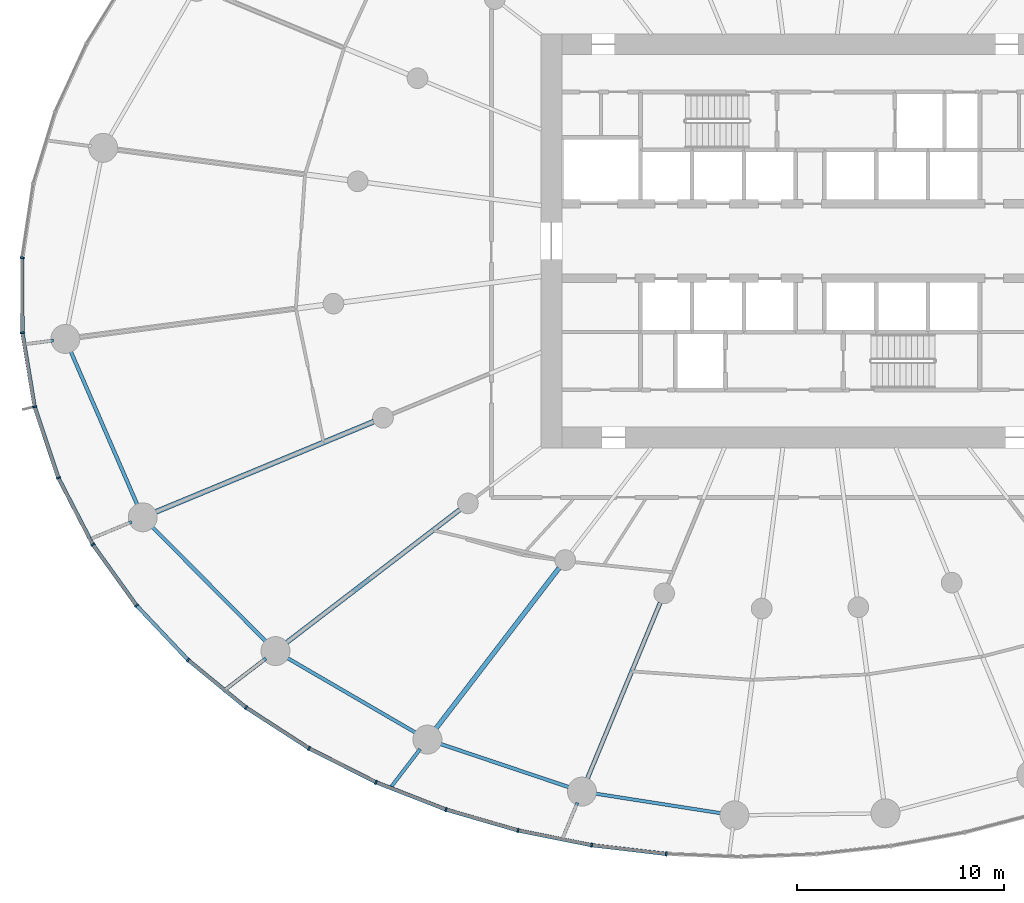
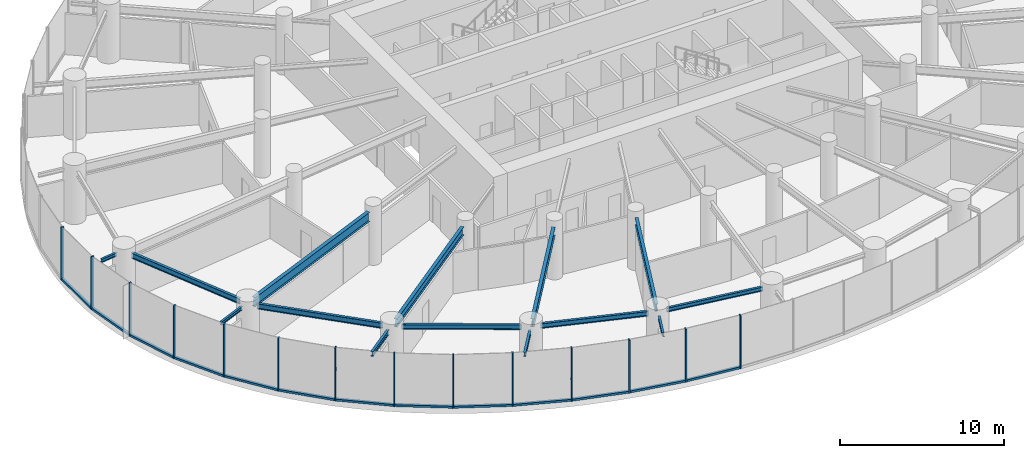
# One storey, part 2 of 19: 27 members, 14 beams, 3 elements without a shape of their own.
"""IFC4 building model written with IfcOpenShell, lengths in metres."""

from ifc_helpers import new_model, si_unit, direction, frame, origin, origin_2d, place, context, subcontext, project, spatial, rectangle, i_section, extrude, source, transform, mapped, material, layer, layer_set, material_profile, profile_set, type_object, element, aggregate, save


model = new_model("IFC4")

# Units and contexts
model_context = context("Model", 3, precision=1e-05, world=origin(), true_north=direction((0.0, 1.0)))
body_context = subcontext(model_context, "Body", "Model", "MODEL_VIEW")
ifc_project = project(units=[si_unit("LENGTHUNIT", "METRE"), si_unit("AREAUNIT", "SQUARE_METRE"), si_unit("VOLUMEUNIT", "CUBIC_METRE"), si_unit("PLANEANGLEUNIT", "RADIAN"), si_unit("MASSUNIT", "GRAM", prefix="KILO")], contexts=[model_context])

# Site, building, storey
site_placement = place(None, origin())
site = spatial("IfcSite", under=ifc_project, at=site_placement, CompositionType="ELEMENT")
building_placement = place(site_placement, origin())
building = spatial("IfcBuilding", under=site, at=building_placement, Name="Spindrift Exchange Tower", CompositionType="ELEMENT")
storey_placement = place(building_placement, frame((0.0, 0.0, 53.39990234375)))
storey = spatial("IfcBuildingStorey", under=building, at=storey_placement, Name="L12", CompositionType="ELEMENT", Elevation=53.39990234375)

# Beams
ifc_material_1 = material(Name="Steel Grade 300", Category="steel")
ifc_material_profile_1 = material_profile(ifc_material_1, i_section(OverallWidth=0.25, OverallDepth=0.699951171875, WebThickness=0.008056640625, FlangeThickness=0.011962890625, at=origin_2d()), Name="700WB115")
ifc_profile_set_1 = profile_set([ifc_material_profile_1], Name="Steel Grade 300")
beam_type_1 = type_object("IfcBeamType", Name="Floor Beam 700WB115 Steel Grade 300", PredefinedType="BEAM", material=ifc_profile_set_1)
shared_shape_1 = source(origin(), body_context, "Body", "SweptSolid", [
    extrude(i_section(OverallWidth=0.25, OverallDepth=0.699951171875, WebThickness=0.008056640625, FlangeThickness=0.011962890625, at=origin_2d()), origin(), (0.0, 0.0, 1.0), 11.505859375),
])
beam_1_placement = place(storey_placement, frame((30.917236328125, 39.26708984375, 3.60009765625), z_axis=(-0.923881578419, -0.38267849307, 0.0), x_axis=(0.38267849307, -0.923881578419, 0.0)))
element("IfcBeam", 1, at=beam_1_placement, inside=storey, type_object=beam_type_1, Name="L12 radial beam R14B", PredefinedType="BEAM", context=body_context, shape_type="MappedRepresentation", body=[
    mapped(shared_shape_1, transform((0.0, 0.0, 0.0), scale=1.0)),
])
ifc_material_profile_2 = material_profile(ifc_material_1, i_section(OverallWidth=0.22802734375, OverallDepth=0.60693359375, WebThickness=0.01123046875, FlangeThickness=0.017333984375, FilletRadius=0.013916015625, at=origin_2d()), Name="610UB113")
ifc_profile_set_2 = profile_set([ifc_material_profile_2], Name="Steel Grade 300")
beam_type_2 = type_object("IfcBeamType", Name="Floor Beam 610UB113 Steel Grade 300", PredefinedType="BEAM", material=ifc_profile_set_2)
shared_shape_2 = source(origin(), body_context, "Body", "SweptSolid", [
    extrude(i_section(OverallWidth=0.22802734375, OverallDepth=0.60693359375, WebThickness=0.01123046875, FlangeThickness=0.017333984375, FilletRadius=0.013916015625, at=origin_2d()), origin(), (0.0, 0.0, 1.0), 10.66357421875),
])
beam_2_placement = place(storey_placement, frame((35.08447265625, 35.020263671875, 3.646484375), z_axis=(-0.793357926757, -0.608755451764, 0.0), x_axis=(0.608755451764, -0.793357926757, 0.0)))
element("IfcBeam", 2, at=beam_2_placement, inside=storey, type_object=beam_type_2, Name="L12 radial beam R15B", PredefinedType="BEAM", context=body_context, shape_type="MappedRepresentation", body=[
    mapped(shared_shape_2, transform((0.0, 0.0, 0.0), scale=1.0)),
])
shared_shape_3 = source(origin(), body_context, "Body", "SweptSolid", [
    extrude(i_section(OverallWidth=0.22802734375, OverallDepth=0.60693359375, WebThickness=0.01123046875, FlangeThickness=0.017333984375, FilletRadius=0.013916015625, at=origin_2d()), origin(), (0.0, 0.0, 1.0), 9.87548828125),
])
beam_3_placement = place(storey_placement, frame((39.872802734375, 32.1953125, 3.646484375), z_axis=(-0.608772470836, -0.793344867477, 0.0), x_axis=(0.793344867477, -0.608772470836, 0.0)))
element("IfcBeam", 3, at=beam_3_placement, inside=storey, type_object=beam_type_2, Name="L12 radial beam R16B", PredefinedType="BEAM", context=body_context, shape_type="MappedRepresentation", body=[
    mapped(shared_shape_3, transform((0.0, 0.0, 0.0), scale=1.0)),
])
ifc_material_profile_3 = material_profile(ifc_material_1, i_section(OverallWidth=0.208984375, OverallDepth=0.532958984375, WebThickness=0.01025390625, FlangeThickness=0.015625, FilletRadius=0.013916015625, at=origin_2d()), Name="530UB92.4")
ifc_profile_set_3 = profile_set([ifc_material_profile_3], Name="Steel Grade 300")
beam_type_3 = type_object("IfcBeamType", Name="Floor Beam 530UB92.4 Steel Grade 300", PredefinedType="BEAM", material=ifc_profile_set_3)
shared_shape_4 = source(origin(), body_context, "Body", "SweptSolid", [
    extrude(i_section(OverallWidth=0.208984375, OverallDepth=0.532958984375, WebThickness=0.01025390625, FlangeThickness=0.015625, FilletRadius=0.013916015625, at=origin_2d()), origin(), (0.0, 0.0, 1.0), 9.309326171875),
])
beam_4_placement = place(storey_placement, frame((44.76171875, 30.525146484375, 3.68359375), z_axis=(-0.382685326691, -0.923878747853, 0.0), x_axis=(0.923878747853, -0.382685326691, 0.0)))
element("IfcBeam", 4, at=beam_4_placement, inside=storey, type_object=beam_type_3, Name="L12 radial beam R17B", PredefinedType="BEAM", context=body_context, shape_type="MappedRepresentation", body=[
    mapped(shared_shape_4, transform((0.0, 0.0, 0.0), scale=1.0)),
])
ifc_material_profile_4 = material_profile(ifc_material_1, i_section(OverallWidth=0.177978515625, OverallDepth=0.406005859375, WebThickness=0.0078125, FlangeThickness=0.0126953125, FilletRadius=0.013916015625, at=origin_2d()), Name="410UB59.7")
ifc_profile_set_4 = profile_set([ifc_material_profile_4], Name="Steel Grade 300")
beam_type_4 = type_object("IfcBeamType", Name="Edge Beam 410UB59.7 Steel Grade 300", PredefinedType="SPANDREL", material=ifc_profile_set_4)
shared_shape_5 = source(origin(), body_context, "Body", "SweptSolid", [
    extrude(i_section(OverallWidth=0.177978515625, OverallDepth=0.406005859375, WebThickness=0.0078125, FlangeThickness=0.0126953125, FilletRadius=0.013916015625, at=origin_2d()), origin(), (0.0, 0.0, 1.0), 8.23681640625),
])
beam_5_placement = place(storey_placement, frame((16.240478515625, 42.729736328125, 3.7470703125), z_axis=(0.398186298756, -0.91730456855, 0.0), x_axis=(0.91730456855, 0.398186298756, 0.0)))
element("IfcBeam", 5, at=beam_5_placement, inside=storey, type_object=beam_type_4, Name="L12 edge beam E13", PredefinedType="SPANDREL", context=body_context, shape_type="MappedRepresentation", body=[
    mapped(shared_shape_5, transform((0.0, 0.0, 0.0), scale=1.0)),
])
shared_shape_6 = source(origin(), body_context, "Body", "SweptSolid", [
    extrude(i_section(OverallWidth=0.177978515625, OverallDepth=0.406005859375, WebThickness=0.0078125, FlangeThickness=0.0126953125, FilletRadius=0.013916015625, at=origin_2d()), origin(), (0.0, 0.0, 1.0), 7.947509765625),
])
beam_6_placement = place(storey_placement, frame((20.159423828125, 34.230224609375, 3.7470703125), z_axis=(0.704197895271, -0.710003749494, 0.0), x_axis=(0.710003749494, 0.704197895271, 0.0)))
element("IfcBeam", 6, at=beam_6_placement, inside=storey, type_object=beam_type_4, Name="L12 edge beam E14", PredefinedType="SPANDREL", context=body_context, shape_type="MappedRepresentation", body=[
    mapped(shared_shape_6, transform((0.0, 0.0, 0.0), scale=1.0)),
])
ifc_material_profile_5 = material_profile(ifc_material_1, i_section(OverallWidth=0.172119140625, OverallDepth=0.35888671875, WebThickness=0.008056640625, FlangeThickness=0.012939453125, FilletRadius=0.013916015625, at=origin_2d()), Name="360UB56.7")
ifc_profile_set_5 = profile_set([ifc_material_profile_5], Name="Steel Grade 300")
beam_type_5 = type_object("IfcBeamType", Name="Edge Beam 360UB56.7 Steel Grade 300", PredefinedType="SPANDREL", material=ifc_profile_set_5)
shared_shape_7 = source(origin(), body_context, "Body", "SweptSolid", [
    extrude(i_section(OverallWidth=0.172119140625, OverallDepth=0.35888671875, WebThickness=0.008056640625, FlangeThickness=0.012939453125, FilletRadius=0.013916015625, at=origin_2d()), origin(), (0.0, 0.0, 1.0), 7.33740234375),
])
beam_7_placement = place(storey_placement, frame((26.66552734375, 27.8837890625, 3.7705078125), z_axis=(0.864211826308, -0.503128134047, 0.0), x_axis=(0.503128134047, 0.864211826308, 0.0)))
element("IfcBeam", 7, at=beam_7_placement, inside=storey, type_object=beam_type_5, Name="L12 edge beam E15", PredefinedType="SPANDREL", context=body_context, shape_type="MappedRepresentation", body=[
    mapped(shared_shape_7, transform((0.0, 0.0, 0.0), scale=1.0)),
])
shared_shape_8 = source(origin(), body_context, "Body", "SweptSolid", [
    extrude(i_section(OverallWidth=0.172119140625, OverallDepth=0.35888671875, WebThickness=0.008056640625, FlangeThickness=0.012939453125, FilletRadius=0.013916015625, at=origin_2d()), origin(), (0.0, 0.0, 1.0), 6.72021484375),
])
beam_8_placement = place(storey_placement, frame((34.0576171875, 23.71533203125, 3.7705078125), z_axis=(0.947851749681, -0.318711563372, 0.0), x_axis=(0.318711563372, 0.947851749681, 0.0)))
element("IfcBeam", 8, at=beam_8_placement, inside=storey, type_object=beam_type_5, Name="L12 edge beam E16", PredefinedType="SPANDREL", context=body_context, shape_type="MappedRepresentation", body=[
    mapped(shared_shape_8, transform((0.0, 0.0, 0.0), scale=1.0)),
])
ifc_material_profile_6 = material_profile(ifc_material_1, i_section(OverallWidth=0.1650390625, OverallDepth=0.303955078125, WebThickness=0.006103515625, FlangeThickness=0.01025390625, FilletRadius=0.011474609375, at=origin_2d()), Name="310UB40.4")
ifc_profile_set_6 = profile_set([ifc_material_profile_6], Name="Steel Grade 300")
beam_type_6 = type_object("IfcBeamType", Name="Edge Beam 310UB40.4 Steel Grade 300", PredefinedType="SPANDREL", material=ifc_profile_set_6)
shared_shape_9 = source(origin(), body_context, "Body", "SweptSolid", [
    extrude(i_section(OverallWidth=0.1650390625, OverallDepth=0.303955078125, WebThickness=0.006103515625, FlangeThickness=0.01025390625, FilletRadius=0.011474609375, at=origin_2d()), origin(), (0.0, 0.0, 1.0), 6.297119140625),
])
beam_9_placement = place(storey_placement, frame((41.55029296875, 21.29931640625, 3.798095703125), z_axis=(0.98802902915, -0.154268070436, 0.0), x_axis=(0.154268070436, 0.98802902915, 0.0)))
element("IfcBeam", 9, at=beam_9_placement, inside=storey, type_object=beam_type_6, Name="L12 edge beam E17", PredefinedType="SPANDREL", context=body_context, shape_type="MappedRepresentation", body=[
    mapped(shared_shape_9, transform((0.0, 0.0, 0.0), scale=1.0)),
])
ifc_material_profile_7 = material_profile(ifc_material_1, i_section(OverallWidth=0.14599609375, OverallDepth=0.251953125, WebThickness=0.006103515625, FlangeThickness=0.008544921875, FilletRadius=0.011962890625, at=origin_2d()), Name="250UB31.4")
ifc_profile_set_7 = profile_set([ifc_material_profile_7], Name="Steel Grade 300")
beam_type_7 = type_object("IfcBeamType", Name="Cantilever Beam 250UB31.4 Steel Grade 300", PredefinedType="BEAM", material=ifc_profile_set_7)
shared_shape_10 = source(origin(), body_context, "Body", "SweptSolid", [
    extrude(i_section(OverallWidth=0.14599609375, OverallDepth=0.251953125, WebThickness=0.006103515625, FlangeThickness=0.008544921875, FilletRadius=0.011962890625, at=origin_2d()), origin(), (0.0, 0.0, 1.0), 1.183837890625),
])
beam_10_placement = place(storey_placement, frame((15.4345703125, 43.18603515625, 3.82421875), z_axis=(-0.991444466653, -0.130529190389, 0.0), x_axis=(0.130529190389, -0.991444466653, 0.0)))
element("IfcBeam", 10, at=beam_10_placement, inside=storey, type_object=beam_type_7, Name="L12 cantilever beam R13T", PredefinedType="BEAM", context=body_context, shape_type="MappedRepresentation", body=[
    mapped(shared_shape_10, transform((0.0, 0.0, 0.0), scale=1.0)),
])
shared_shape_11 = source(origin(), body_context, "Body", "SweptSolid", [
    extrude(i_section(OverallWidth=0.14599609375, OverallDepth=0.251953125, WebThickness=0.006103515625, FlangeThickness=0.008544921875, FilletRadius=0.011962890625, at=origin_2d()), origin(), (0.0, 0.0, 1.0), 2.132568359375),
])
beam_11_placement = place(storey_placement, frame((19.21533203125, 34.420166015625, 3.82421875), z_axis=(-0.92386752901, -0.382712410097, 0.0), x_axis=(0.382712410097, -0.92386752901, 0.0)))
element("IfcBeam", 11, at=beam_11_placement, inside=storey, type_object=beam_type_7, Name="L12 cantilever beam R14T", PredefinedType="BEAM", context=body_context, shape_type="MappedRepresentation", body=[
    mapped(shared_shape_11, transform((0.0, 0.0, 0.0), scale=1.0)),
])
ifc_material_profile_8 = material_profile(ifc_material_1, i_section(OverallWidth=0.172119140625, OverallDepth=0.35888671875, WebThickness=0.008056640625, FlangeThickness=0.012939453125, FilletRadius=0.013916015625, at=origin_2d()), Name="360UB56.7")
ifc_profile_set_8 = profile_set([ifc_material_profile_8], Name="Steel Grade 300")
beam_type_8 = type_object("IfcBeamType", Name="Cantilever Beam 360UB56.7 Steel Grade 300", PredefinedType="BEAM", material=ifc_profile_set_8)
shared_shape_12 = source(origin(), body_context, "Body", "SweptSolid", [
    extrude(i_section(OverallWidth=0.172119140625, OverallDepth=0.35888671875, WebThickness=0.008056640625, FlangeThickness=0.012939453125, FilletRadius=0.013916015625, at=origin_2d()), origin(), (0.0, 0.0, 1.0), 2.6103515625),
])
beam_12_placement = place(storey_placement, frame((25.704345703125, 27.822509765625, 3.7705078125), z_axis=(-0.793363947524, -0.608747605144, 0.0), x_axis=(0.608747605144, -0.793363947524, 0.0)))
element("IfcBeam", 12, at=beam_12_placement, inside=storey, type_object=beam_type_8, Name="L12 cantilever beam R15T", PredefinedType="BEAM", context=body_context, shape_type="MappedRepresentation", body=[
    mapped(shared_shape_12, transform((0.0, 0.0, 0.0), scale=1.0)),
])
ifc_material_profile_9 = material_profile(ifc_material_1, i_section(OverallWidth=0.1650390625, OverallDepth=0.303955078125, WebThickness=0.006103515625, FlangeThickness=0.01025390625, FilletRadius=0.011474609375, at=origin_2d()), Name="310UB40.4")
ifc_profile_set_9 = profile_set([ifc_material_profile_9], Name="Steel Grade 300")
beam_type_9 = type_object("IfcBeamType", Name="Cantilever Beam 310UB40.4 Steel Grade 300", PredefinedType="BEAM", material=ifc_profile_set_9)
shared_shape_13 = source(origin(), body_context, "Body", "SweptSolid", [
    extrude(i_section(OverallWidth=0.1650390625, OverallDepth=0.303955078125, WebThickness=0.006103515625, FlangeThickness=0.01025390625, FilletRadius=0.011474609375, at=origin_2d()), origin(), (0.0, 0.0, 1.0), 2.437255859375),
])
beam_13_placement = place(storey_placement, frame((33.154541015625, 23.440185546875, 3.798095703125), z_axis=(-0.608746943639, -0.793364455096, 0.0), x_axis=(0.793364455096, -0.608746943639, 0.0)))
element("IfcBeam", 13, at=beam_13_placement, inside=storey, type_object=beam_type_9, Name="L12 cantilever beam R16T", PredefinedType="BEAM", context=body_context, shape_type="MappedRepresentation", body=[
    mapped(shared_shape_13, transform((0.0, 0.0, 0.0), scale=1.0)),
])
shared_shape_14 = source(origin(), body_context, "Body", "SweptSolid", [
    extrude(i_section(OverallWidth=0.14599609375, OverallDepth=0.251953125, WebThickness=0.006103515625, FlangeThickness=0.008544921875, FilletRadius=0.011962890625, at=origin_2d()), origin(), (0.0, 0.0, 1.0), 1.932373046875),
])
beam_14_placement = place(storey_placement, frame((40.755126953125, 20.852783203125, 3.82421875), z_axis=(-0.382667927842, -0.923885954543, 0.0), x_axis=(0.923885954543, -0.382667927842, 0.0)))
element("IfcBeam", 14, at=beam_14_placement, inside=storey, type_object=beam_type_7, Name="L12 cantilever beam R17T", PredefinedType="BEAM", context=body_context, shape_type="MappedRepresentation", body=[
    mapped(shared_shape_14, transform((0.0, 0.0, 0.0), scale=1.0)),
])

# Curtain wall, members
ifc_material_2 = material(Name="Fritted laminated glass with bronze frame", Category="glass")
ifc_layer = layer(ifc_material_2, 0.199951171875)
ifc_layer_set = layer_set([ifc_layer], Name="ZONE 1 BRONZE FRITTED WALL")
curtain_wall_type = type_object("IfcCurtainWallType", Name="ZONE 1 BRONZE FRITTED WALL", PredefinedType="NOTDEFINED", material=ifc_layer_set)
curtain_wall_1_placement = place(storey_placement, origin())
curtain_wall_1 = element("IfcCurtainWall", 15, at=curtain_wall_1_placement, inside=storey, type_object=curtain_wall_type, Name="L12 Zone 1 Bronze Fritted Wall run 5", PredefinedType="NOTDEFINED")
ifc_material_3 = material(Name="Bronze anodised aluminium", Category="aluminium")
ifc_material_profile_10 = material_profile(ifc_material_3, rectangle(XDim=0.179931640625, YDim=0.14990234375, at=origin_2d()), Name="ZONE 1 BRONZE FRITTED WALL TRANSOM 180X150")
ifc_profile_set_10 = profile_set([ifc_material_profile_10], Name="Bronze anodised aluminium")
member_type_1 = type_object("IfcMemberType", Name="ZONE 1 BRONZE FRITTED WALL TRANSOM 180X150", PredefinedType="USERDEFINED", material=ifc_profile_set_10)
shared_shape_15 = source(origin(), body_context, "Body", "SweptSolid", [
    extrude(rectangle(XDim=0.179931640625, YDim=0.14990234375, at=origin_2d()), origin(), (0.0, 0.0, 1.0), 3.54443359375),
])
member_1_placement = place(storey_placement, frame((13.92138671875, 47.144775390625, 0.0751953125), z_axis=(0.004546033752, -0.999989666735, 0.0), x_axis=(0.999989666735, 0.004546033752, 0.0)))
member_1 = element("IfcMember", 16, at=member_1_placement, type_object=member_type_1, Name="L12 transom CW-1.29", ObjectType="TRANSOM", PredefinedType="USERDEFINED", context=body_context, shape_type="MappedRepresentation", body=[
    mapped(shared_shape_15, transform((0.0, 0.0, 0.0), scale=1.0)),
])
member_2_placement = place(storey_placement, frame((13.944091796875, 43.52099609375, 0.0751953125), z_axis=(0.162689821704, -0.9866772633, 0.0), x_axis=(0.9866772633, 0.162689821704, 0.0)))
member_2 = element("IfcMember", 17, at=member_2_placement, type_object=member_type_1, Name="L12 transom CW-1.30", ObjectType="TRANSOM", PredefinedType="USERDEFINED", context=body_context, shape_type="MappedRepresentation", body=[
    mapped(shared_shape_15, transform((0.0, 0.0, 0.0), scale=1.0)),
])

curtain_wall_2_placement = place(storey_placement, origin())
curtain_wall_2 = element("IfcCurtainWall", 18, at=curtain_wall_2_placement, inside=storey, type_object=curtain_wall_type, Name="L12 Zone 1 Bronze Fritted Wall run 6", PredefinedType="NOTDEFINED")
member_3_placement = place(storey_placement, frame((14.5400390625, 39.9462890625, 0.0751953125), z_axis=(0.316702987451, -0.948524758633, 0.0), x_axis=(0.948524758633, 0.316702987451, 0.0)))
member_3 = element("IfcMember", 19, at=member_3_placement, type_object=member_type_1, Name="L12 transom CW-1.31", ObjectType="TRANSOM", PredefinedType="USERDEFINED", context=body_context, shape_type="MappedRepresentation", body=[
    mapped(shared_shape_15, transform((0.0, 0.0, 0.0), scale=1.0)),
])
shared_shape_16 = source(origin(), body_context, "Body", "SweptSolid", [
    extrude(rectangle(XDim=0.179931640625, YDim=0.14990234375, at=origin_2d()), origin(), (0.0, 0.0, 1.0), 3.544921875),
])
member_4_placement = place(storey_placement, frame((15.693603515625, 36.5107421875, 0.0751953125), z_axis=(0.458692041079, -0.888595302402, 0.0), x_axis=(0.888595302402, 0.458692041079, 0.0)))
member_4 = element("IfcMember", 20, at=member_4_placement, type_object=member_type_1, Name="L12 transom CW-1.32", ObjectType="TRANSOM", PredefinedType="USERDEFINED", context=body_context, shape_type="MappedRepresentation", body=[
    mapped(shared_shape_16, transform((0.0, 0.0, 0.0), scale=1.0)),
])
shared_shape_17 = source(origin(), body_context, "Body", "SweptSolid", [
    extrude(rectangle(XDim=0.179931640625, YDim=0.14990234375, at=origin_2d()), origin(), (0.0, 0.0, 1.0), 3.545654296875),
])
member_5_placement = place(storey_placement, frame((19.47900390625, 30.35107421875, 0.0751953125), z_axis=(0.687458113271, -0.726224030516, 0.0), x_axis=(0.726224030516, 0.687458113271, 0.0)))
member_5 = element("IfcMember", 21, at=member_5_placement, type_object=member_type_1, Name="L12 transom CW-1.34", ObjectType="TRANSOM", PredefinedType="USERDEFINED", context=body_context, shape_type="MappedRepresentation", body=[
    mapped(shared_shape_17, transform((0.0, 0.0, 0.0), scale=1.0)),
])
shared_shape_18 = source(origin(), body_context, "Body", "SweptSolid", [
    extrude(rectangle(XDim=0.179931640625, YDim=0.14990234375, at=origin_2d()), origin(), (0.0, 0.0, 1.0), 3.546142578125),
])
member_6_placement = place(storey_placement, frame((21.974853515625, 27.7216796875, 0.0751953125), z_axis=(0.772470516978, -0.635050628218, 0.0), x_axis=(0.635050628218, 0.772470516978, 0.0)))
member_6 = element("IfcMember", 22, at=member_6_placement, type_object=member_type_1, Name="L12 transom CW-1.35", ObjectType="TRANSOM", PredefinedType="USERDEFINED", context=body_context, shape_type="MappedRepresentation", body=[
    mapped(shared_shape_18, transform((0.0, 0.0, 0.0), scale=1.0)),
])
member_7_placement = place(storey_placement, frame((24.778564453125, 25.422607421875, 0.0751953125), z_axis=(0.839836032001, -0.54284016004, 0.0), x_axis=(0.54284016004, 0.839836032001, 0.0)))
member_7 = element("IfcMember", 23, at=member_7_placement, type_object=member_type_1, Name="L12 transom CW-1.36", ObjectType="TRANSOM", PredefinedType="USERDEFINED", context=body_context, shape_type="MappedRepresentation", body=[
    mapped(shared_shape_18, transform((0.0, 0.0, 0.0), scale=1.0)),
])

curtain_wall_3_placement = place(storey_placement, origin())
curtain_wall_3 = element("IfcCurtainWall", 24, at=curtain_wall_3_placement, inside=storey, type_object=curtain_wall_type, Name="L12 Zone 1 Bronze Fritted Wall run 7", PredefinedType="NOTDEFINED")
shared_shape_19 = source(origin(), body_context, "Body", "SweptSolid", [
    extrude(rectangle(XDim=0.179931640625, YDim=0.14990234375, at=origin_2d()), origin(), (0.0, 0.0, 1.0), 3.546875),
])
member_8_placement = place(storey_placement, frame((31.06298828125, 21.822265625, 0.0751953125), z_axis=(0.931567384985, -0.363568710469, 0.0), x_axis=(0.363568710469, 0.931567384985, 0.0)))
member_8 = element("IfcMember", 25, at=member_8_placement, type_object=member_type_1, Name="L12 transom CW-1.38", ObjectType="TRANSOM", PredefinedType="USERDEFINED", context=body_context, shape_type="MappedRepresentation", body=[
    mapped(shared_shape_19, transform((0.0, 0.0, 0.0), scale=1.0)),
])
shared_shape_20 = source(origin(), body_context, "Body", "SweptSolid", [
    extrude(rectangle(XDim=0.179931640625, YDim=0.14990234375, at=origin_2d()), origin(), (0.0, 0.0, 1.0), 3.54736328125),
])
member_9_placement = place(storey_placement, frame((41.48486328125, 18.79345703125, 0.0751953125), z_axis=(0.99318860411, -0.116517795493, 0.0), x_axis=(0.116517795493, 0.99318860411, 0.0)))
member_9 = element("IfcMember", 26, at=member_9_placement, type_object=member_type_1, Name="L12 transom CW-1.41", ObjectType="TRANSOM", PredefinedType="USERDEFINED", context=body_context, shape_type="MappedRepresentation", body=[
    mapped(shared_shape_20, transform((0.0, 0.0, 0.0), scale=1.0)),
])
shared_shape_21 = source(origin(), body_context, "Body", "SweptSolid", [
    extrude(rectangle(XDim=0.179931640625, YDim=0.14990234375, at=origin_2d()), origin(), (0.0, 0.0, 1.0), 3.547119140625),
])
member_10_placement = place(storey_placement, frame((34.44287109375, 20.507080078125, 0.0751953125), z_axis=(0.960501832775, -0.278273658897, 0.0), x_axis=(0.278273658897, 0.960501832775, 0.0)))
member_10 = element("IfcMember", 27, at=member_10_placement, type_object=member_type_1, Name="L12 transom CW-1.39", ObjectType="TRANSOM", PredefinedType="USERDEFINED", context=body_context, shape_type="MappedRepresentation", body=[
    mapped(shared_shape_21, transform((0.0, 0.0, 0.0), scale=1.0)),
])
member_11_placement = place(storey_placement, frame((37.927490234375, 19.501220703125, 0.0751953125), z_axis=(0.980612430241, -0.195957295493, 0.0), x_axis=(0.195957295493, 0.980612430241, 0.0)))
member_11 = element("IfcMember", 28, at=member_11_placement, type_object=member_type_1, Name="L12 transom CW-1.40", ObjectType="TRANSOM", PredefinedType="USERDEFINED", context=body_context, shape_type="MappedRepresentation", body=[
    mapped(shared_shape_21, transform((0.0, 0.0, 0.0), scale=1.0)),
])

# Member
shared_shape_22 = source(origin(), body_context, "Body", "SweptSolid", [
    extrude(rectangle(XDim=0.179931640625, YDim=0.14990234375, at=origin_2d()), origin(), (0.0, 0.0, 1.0), 3.545166015625),
])
member_12_placement = place(storey_placement, frame((17.361328125, 33.29296875, 0.0751953125), z_axis=(0.582963225934, -0.812498539819, 0.0), x_axis=(0.812498539819, 0.582963225934, 0.0)))
member_12 = element("IfcMember", 29, at=member_12_placement, type_object=member_type_1, Name="L12 transom CW-1.33", ObjectType="TRANSOM", PredefinedType="USERDEFINED", context=body_context, shape_type="MappedRepresentation", body=[
    mapped(shared_shape_22, transform((0.0, 0.0, 0.0), scale=1.0)),
])

shared_shape_23 = source(origin(), body_context, "Body", "SweptSolid", [
    extrude(rectangle(XDim=0.179931640625, YDim=0.14990234375, at=origin_2d()), origin(), (0.0, 0.0, 1.0), 3.546630859375),
])
member_13_placement = place(storey_placement, frame((27.826171875, 23.457763671875, 0.0751953125), z_axis=(0.892032815785, -0.451970635731, 0.0), x_axis=(0.451970635731, 0.892032815785, 0.0)))
member_13 = element("IfcMember", 30, at=member_13_placement, type_object=member_type_1, Name="L12 transom CW-1.37", ObjectType="TRANSOM", PredefinedType="USERDEFINED", context=body_context, shape_type="MappedRepresentation", body=[
    mapped(shared_shape_23, transform((0.0, 0.0, 0.0), scale=1.0)),
])

ifc_material_profile_11 = material_profile(ifc_material_3, rectangle(XDim=0.080078125, YDim=0.199951171875, at=origin_2d()), Name="ZONE 1 BRONZE FRITTED WALL MULLION 80X200")
ifc_profile_set_11 = profile_set([ifc_material_profile_11], Name="Bronze anodised aluminium")
member_type_2 = type_object("IfcMemberType", Name="ZONE 1 BRONZE FRITTED WALL MULLION 80X200", PredefinedType="MULLION", material=ifc_profile_set_11)
shared_shape_24 = source(origin(), body_context, "Body", "SweptSolid", [
    extrude(rectangle(XDim=0.080078125, YDim=0.199951171875, at=origin_2d()), origin(), (0.0, 0.0, 1.0), 3.9501953125),
])
member_14_placement = place(storey_placement, frame((13.921142578125, 47.184814453125, 0.0), z_axis=(0.0, 0.0, 1.0), x_axis=(-0.072480952899, -0.997369796749, 0.0)))
member_14 = element("IfcMember", 31, at=member_14_placement, type_object=member_type_2, Name="L12 mullion CW-1.29", PredefinedType="MULLION", context=body_context, shape_type="MappedRepresentation", body=[
    mapped(shared_shape_24, transform((0.0, 0.0, 0.0), scale=1.0)),
])

member_15_placement = place(storey_placement, frame((13.9375, 43.560302734375, 0.0), z_axis=(0.0, 0.0, 1.0), x_axis=(0.083892290539, -0.996474828377, 0.0)))
member_15 = element("IfcMember", 32, at=member_15_placement, type_object=member_type_2, Name="L12 mullion CW-1.30", PredefinedType="MULLION", context=body_context, shape_type="MappedRepresentation", body=[
    mapped(shared_shape_24, transform((0.0, 0.0, 0.0), scale=1.0)),
])

aggregate(curtain_wall_1, [member_14, member_1, member_15, member_2])

member_16_placement = place(storey_placement, frame((14.52734375, 39.984375, 0.0), z_axis=(0.0, 0.0, 1.0), x_axis=(0.240475955306, -0.970655095757, 0.0)))
member_16 = element("IfcMember", 33, at=member_16_placement, type_object=member_type_2, Name="L12 mullion CW-1.31", PredefinedType="MULLION", context=body_context, shape_type="MappedRepresentation", body=[
    mapped(shared_shape_24, transform((0.0, 0.0, 0.0), scale=1.0)),
])

member_17_placement = place(storey_placement, frame((15.67529296875, 36.54638671875, 0.0), z_axis=(0.0, 0.0, 1.0), x_axis=(0.388859443789, -0.921297092678, 0.0)))
member_17 = element("IfcMember", 34, at=member_17_placement, type_object=member_type_2, Name="L12 mullion CW-1.32", PredefinedType="MULLION", context=body_context, shape_type="MappedRepresentation", body=[
    mapped(shared_shape_24, transform((0.0, 0.0, 0.0), scale=1.0)),
])

member_18_placement = place(storey_placement, frame((17.337890625, 33.325439453125, 0.0), z_axis=(0.0, 0.0, 1.0), x_axis=(0.522232692088, -0.852803034302, 0.0)))
member_18 = element("IfcMember", 35, at=member_18_placement, type_object=member_type_2, Name="L12 mullion CW-1.33", PredefinedType="MULLION", context=body_context, shape_type="MappedRepresentation", body=[
    mapped(shared_shape_24, transform((0.0, 0.0, 0.0), scale=1.0)),
])

member_19_placement = place(storey_placement, frame((19.451416015625, 30.380126953125, 0.0), z_axis=(0.0, 0.0, 1.0), x_axis=(0.636708052384, -0.771104957855, 0.0)))
member_19 = element("IfcMember", 36, at=member_19_placement, type_object=member_type_2, Name="L12 mullion CW-1.34", PredefinedType="MULLION", context=body_context, shape_type="MappedRepresentation", body=[
    mapped(shared_shape_24, transform((0.0, 0.0, 0.0), scale=1.0)),
])

member_20_placement = place(storey_placement, frame((21.944091796875, 27.7470703125, 0.0), z_axis=(0.0, 0.0, 1.0), x_axis=(0.731397462387, -0.681951429366, 0.0)))
member_20 = element("IfcMember", 37, at=member_20_placement, type_object=member_type_2, Name="L12 mullion CW-1.35", PredefinedType="MULLION", context=body_context, shape_type="MappedRepresentation", body=[
    mapped(shared_shape_24, transform((0.0, 0.0, 0.0), scale=1.0)),
])

member_21_placement = place(storey_placement, frame((24.7451171875, 25.4443359375, 0.0), z_axis=(0.0, 0.0, 1.0), x_axis=(0.807464713989, -0.589915871682, 0.0)))
member_21 = element("IfcMember", 38, at=member_21_placement, type_object=member_type_2, Name="L12 mullion CW-1.36", PredefinedType="MULLION", context=body_context, shape_type="MappedRepresentation", body=[
    mapped(shared_shape_24, transform((0.0, 0.0, 0.0), scale=1.0)),
])

aggregate(curtain_wall_2, [member_16, member_3, member_17, member_4, member_18, member_12, member_19, member_5, member_20, member_6, member_21, member_7])

member_22_placement = place(storey_placement, frame((27.79052734375, 23.475830078125, 0.0), z_axis=(0.0, 0.0, 1.0), x_axis=(0.867125763262, -0.498089259758, 0.0)))
member_22 = element("IfcMember", 39, at=member_22_placement, type_object=member_type_2, Name="L12 mullion CW-1.37", PredefinedType="MULLION", context=body_context, shape_type="MappedRepresentation", body=[
    mapped(shared_shape_24, transform((0.0, 0.0, 0.0), scale=1.0)),
])

member_23_placement = place(storey_placement, frame((31.025634765625, 21.836669921875, 0.0), z_axis=(0.0, 0.0, 1.0), x_axis=(0.912876977132, -0.408234766553, 0.0)))
member_23 = element("IfcMember", 40, at=member_23_placement, type_object=member_type_2, Name="L12 mullion CW-1.38", PredefinedType="MULLION", context=body_context, shape_type="MappedRepresentation", body=[
    mapped(shared_shape_24, transform((0.0, 0.0, 0.0), scale=1.0)),
])

member_24_placement = place(storey_placement, frame((34.404296875, 20.51806640625, 0.0), z_axis=(0.0, 0.0, 1.0), x_axis=(0.947006918205, -0.321213164225, 0.0)))
member_24 = element("IfcMember", 41, at=member_24_placement, type_object=member_type_2, Name="L12 mullion CW-1.39", PredefinedType="MULLION", context=body_context, shape_type="MappedRepresentation", body=[
    mapped(shared_shape_24, transform((0.0, 0.0, 0.0), scale=1.0)),
])

member_25_placement = place(storey_placement, frame((37.88818359375, 19.509033203125, 0.0), z_axis=(0.0, 0.0, 1.0), x_axis=(0.971435870018, -0.237302234383, 0.0)))
member_25 = element("IfcMember", 42, at=member_25_placement, type_object=member_type_2, Name="L12 mullion CW-1.40", PredefinedType="MULLION", context=body_context, shape_type="MappedRepresentation", body=[
    mapped(shared_shape_24, transform((0.0, 0.0, 0.0), scale=1.0)),
])

member_26_placement = place(storey_placement, frame((41.445068359375, 18.798095703125, 0.0), z_axis=(0.0, 0.0, 1.0), x_axis=(0.98769750564, -0.156376588246, 0.0)))
member_26 = element("IfcMember", 43, at=member_26_placement, type_object=member_type_2, Name="L12 mullion CW-1.41", PredefinedType="MULLION", context=body_context, shape_type="MappedRepresentation", body=[
    mapped(shared_shape_24, transform((0.0, 0.0, 0.0), scale=1.0)),
])

member_27_placement = place(storey_placement, frame((45.047607421875, 18.37548828125, 0.0), z_axis=(0.0, 0.0, 1.0), x_axis=(0.996944076484, -0.078118553266, 0.0)))
member_27 = element("IfcMember", 44, at=member_27_placement, type_object=member_type_2, Name="L12 mullion CW-1.42", PredefinedType="MULLION", context=body_context, shape_type="MappedRepresentation", body=[
    mapped(shared_shape_24, transform((0.0, 0.0, 0.0), scale=1.0)),
])

aggregate(curtain_wall_3, [member_22, member_13, member_23, member_8, member_24, member_10, member_25, member_11, member_26, member_9, member_27])

save(model, "model.ifc")
